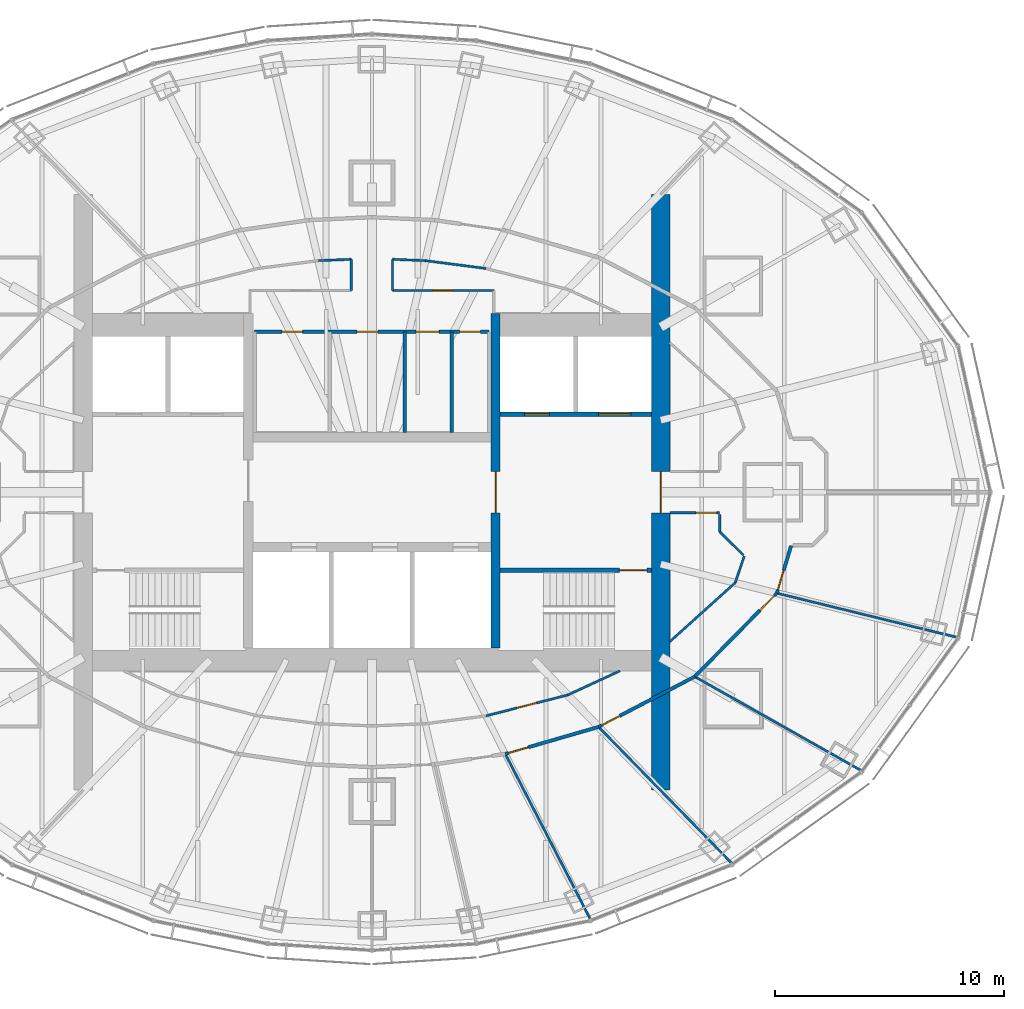
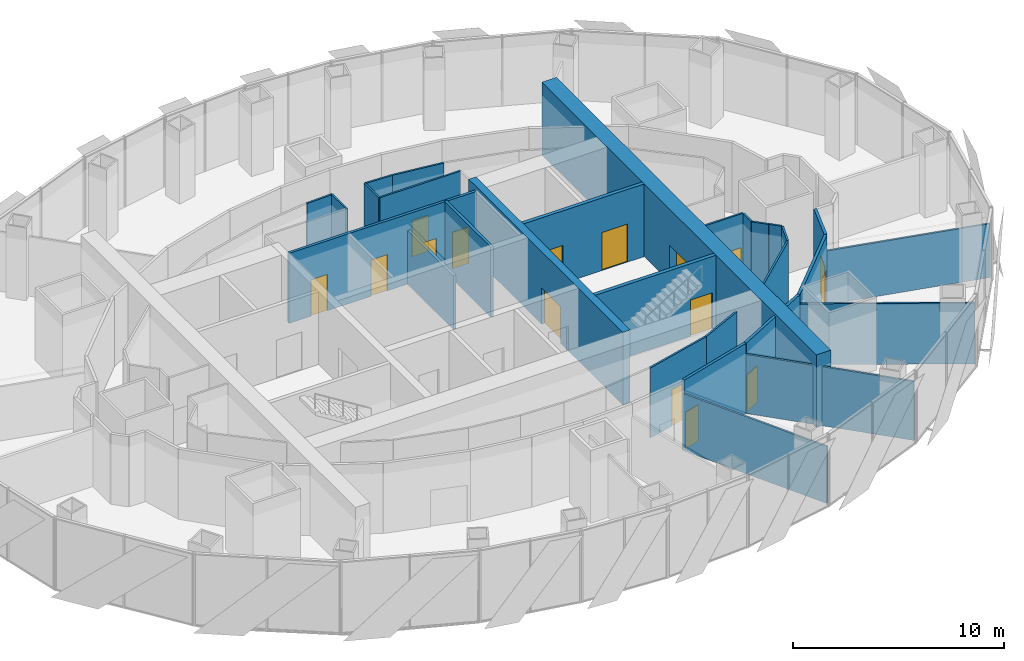
# One storey, part 13 of 17: 29 walls, 16 doors, 16 openings.
"""IFC4 building model written with IfcOpenShell, lengths in metres."""

from ifc_helpers import new_model, si_unit, direction, frame, frame_2d, origin, place, context, subcontext, project, spatial, rectangle, extrude, material, layer, layer_set, type_object, element, fill, save


model = new_model("IFC4")

# Units and contexts
model_context = context("Model", 3, precision=1e-05, world=origin(), true_north=direction((0.0, 1.0)))
body_context = subcontext(model_context, "Body", "Model", "MODEL_VIEW")
ifc_project = project(units=[si_unit("LENGTHUNIT", "METRE"), si_unit("AREAUNIT", "SQUARE_METRE"), si_unit("VOLUMEUNIT", "CUBIC_METRE"), si_unit("PLANEANGLEUNIT", "RADIAN"), si_unit("MASSUNIT", "GRAM", prefix="KILO")], contexts=[model_context])

# Site, building, storey
site_placement = place(None, origin())
site = spatial("IfcSite", under=ifc_project, at=site_placement, CompositionType="ELEMENT")
building_placement = place(site_placement, origin())
building = spatial("IfcBuilding", under=site, at=building_placement, Name="Lantaw Convention Tower", CompositionType="ELEMENT")
storey_placement = place(building_placement, frame((0.0, 0.0, 220.0)))
storey = spatial("IfcBuildingStorey", under=building, at=storey_placement, Name="L51", CompositionType="ELEMENT", Elevation=220.0)

# Wall, opening, door
ifc_material_1 = material(Name="Concrete C60/75", Category="concrete")
ifc_layer_1 = layer(ifc_material_1, 0.199951171875)
ifc_layer_set_1 = layer_set([ifc_layer_1], Name="Core wall 200")
wall_type_1 = type_object("IfcWallType", Name="Core wall 200", PredefinedType="SHEAR", material=ifc_layer_set_1)
wall_1_placement = place(storey_placement, frame((5.60009765625, -3.39990234375, 0.0), z_axis=(0.0, 0.0, 1.0), x_axis=(1.0, 0.0, 0.0)))
wall_1 = element("IfcWall", 1, at=wall_1_placement, inside=storey, type_object=wall_type_1, Name="Core wall ES", PredefinedType="SHEAR", context=body_context, shape_type="SweptSolid", body=[
    extrude(rectangle(XDim=6.599853515625, YDim=0.199951171875, at=frame_2d((3.2998046875, 0.0))), origin(), (0.0, 0.0, 1.0), 4.199951171875),
])
opening_1_placement = place(wall_1_placement, frame((5.199951171875, 0.0, 0.0)))
opening_1 = element("IfcOpeningElement", 2, at=opening_1_placement, cuts=wall_1, Name="Opening L51.03", PredefinedType="OPENING", context=body_context, shape_type="SweptSolid", body=[
    extrude(rectangle(XDim=1.199951171875, YDim=2.10009765625, at=frame_2d((0.60009765625, 1.050048828125))), frame((0.0, 0.10986328125, 0.0), z_axis=(0.0, -1.0, 0.0), x_axis=(1.0, 0.0, 0.0)), (0.0, 0.0, 1.0), 0.219970703125),
])
ifc_material_2 = material(Name="Steel, fire rated", Category="steel")
door_type_1 = type_object("IfcDoorType", Name="Stair door FD90", OperationType="SINGLE_SWING_RIGHT", PredefinedType="DOOR", material=ifc_material_2)
door_1_placement = place(opening_1_placement, origin())
door_1 = element("IfcDoor", 3, at=door_1_placement, inside=storey, type_object=door_type_1, Name="Exit stair door", OperationType="SINGLE_SWING_RIGHT", OverallHeight=2.10009765625, OverallWidth=1.199951171875, PredefinedType="DOOR", context=body_context, shape_type="SweptSolid", body=[
    extrude(rectangle(XDim=1.199951171875, YDim=2.10009765625, at=frame_2d((0.60009765625, 1.050048828125))), frame((0.0, 0.02490234375, 0.0), z_axis=(0.0, -1.0, 0.0), x_axis=(1.0, 0.0, 0.0)), (0.0, 0.0, 1.0), 0.050048828125),
])
fill(opening_1, door_1)

ifc_layer_2 = layer(ifc_material_1, 0.39990234375)
ifc_layer_set_2 = layer_set([ifc_layer_2], Name="Core wall 400")
wall_type_2 = type_object("IfcWallType", Name="Core wall 400", PredefinedType="SHEAR", material=ifc_layer_set_2)
wall_2_placement = place(storey_placement, frame((5.39990234375, -6.800048828125, 0.0), z_axis=(0.0, 0.0, 1.0), x_axis=(0.0, 1.0, 0.0)))
wall_2 = element("IfcWall", 4, at=wall_2_placement, inside=storey, type_object=wall_type_2, Name="Core wall XE", PredefinedType="SHEAR", context=body_context, shape_type="SweptSolid", body=[
    extrude(rectangle(XDim=14.60009765625, YDim=0.39990234375, at=frame_2d((7.300048828125, 0.0))), origin(), (0.0, 0.0, 1.0), 4.199951171875),
])
opening_2_placement = place(wall_2_placement, frame((5.89990234375, 0.0, 0.0)))
opening_2 = element("IfcOpeningElement", 5, at=opening_2_placement, cuts=wall_2, Name="Opening L51.01", PredefinedType="OPENING", context=body_context, shape_type="SweptSolid", body=[
    extrude(rectangle(XDim=1.800048828125, YDim=2.10009765625, at=frame_2d((0.89990234375, 1.050048828125))), frame((0.0, 0.2099609375, 0.0), z_axis=(0.0, -1.0, 0.0), x_axis=(1.0, 0.0, 0.0)), (0.0, 0.0, 1.0), 0.419921875),
])
door_type_2 = type_object("IfcDoorType", Name="Lobby double door FD90", OperationType="DOUBLE_DOOR_DOUBLE_SWING", PredefinedType="DOOR", material=ifc_material_2)
door_2_placement = place(opening_2_placement, origin())
door_2 = element("IfcDoor", 6, at=door_2_placement, inside=storey, type_object=door_type_2, Name="Lift lobby door", OperationType="DOUBLE_DOOR_DOUBLE_SWING", OverallHeight=2.10009765625, OverallWidth=1.800048828125, PredefinedType="DOOR", context=body_context, shape_type="SweptSolid", body=[
    extrude(rectangle(XDim=1.800048828125, YDim=2.10009765625, at=frame_2d((0.89990234375, 1.050048828125))), frame((0.0, 0.02490234375, 0.0), z_axis=(0.0, -1.0, 0.0), x_axis=(1.0, 0.0, 0.0)), (0.0, 0.0, 1.0), 0.050048828125),
])
fill(opening_2, door_2)

ifc_layer_3 = layer(ifc_material_1, 0.800048828125)
ifc_layer_set_3 = layer_set([ifc_layer_3], Name="Core wall 800")
wall_type_3 = type_object("IfcWallType", Name="Core wall 800", PredefinedType="SHEAR", material=ifc_layer_set_3)
wall_3_placement = place(storey_placement, frame((12.60009765625, -13.0, 0.0), z_axis=(0.0, 0.0, 1.0), x_axis=(0.0, 1.0, 0.0)))
wall_3 = element("IfcWall", 7, at=wall_3_placement, inside=storey, type_object=wall_type_3, Name="Core wall E", PredefinedType="SHEAR", context=body_context, shape_type="SweptSolid", body=[
    extrude(rectangle(XDim=26.0, YDim=0.800048828125, at=frame_2d((13.0, 0.0))), origin(), (0.0, 0.0, 1.0), 4.199951171875),
])
opening_3_placement = place(wall_3_placement, frame((12.10009765625, 0.0, 0.0)))
opening_3 = element("IfcOpeningElement", 8, at=opening_3_placement, cuts=wall_3, Name="Opening L51.05", PredefinedType="OPENING", context=body_context, shape_type="SweptSolid", body=[
    extrude(rectangle(XDim=1.800048828125, YDim=2.10009765625, at=frame_2d((0.89990234375, 1.050048828125))), frame((0.0, 0.409912109375, 0.0), z_axis=(0.0, -1.0, 0.0), x_axis=(1.0, 0.0, 0.0)), (0.0, 0.0, 1.0), 0.820068359375),
])
door_3_placement = place(opening_3_placement, origin())
door_3 = element("IfcDoor", 9, at=door_3_placement, inside=storey, type_object=door_type_2, Name="Firefighting lobby door", OperationType="DOUBLE_DOOR_DOUBLE_SWING", OverallHeight=2.10009765625, OverallWidth=1.800048828125, PredefinedType="DOOR", context=body_context, shape_type="SweptSolid", body=[
    extrude(rectangle(XDim=1.800048828125, YDim=2.10009765625, at=frame_2d((0.89990234375, 1.050048828125))), frame((0.0, 0.02490234375, 0.0), z_axis=(0.0, -1.0, 0.0), x_axis=(1.0, 0.0, 0.0)), (0.0, 0.0, 1.0), 0.050048828125),
])
fill(opening_3, door_3)

ifc_material_3 = material(Name="Gypsum board on steel studs, fire rated", Category="steel")
ifc_layer_4 = layer(ifc_material_3, 0.14990234375)
ifc_layer_set_4 = layer_set([ifc_layer_4], Name="Corridor wall 150 EI 60")
wall_type_4 = type_object("IfcWallType", Name="Corridor wall 150 EI 60", PredefinedType="PARTITIONING", material=ifc_layer_set_4)
wall_4_placement = place(storey_placement, frame((5.8203125, -11.423095703125, 0.0), z_axis=(0.0, 0.0, 1.0), x_axis=(0.960614838378, 0.27788330696, 0.0)))
wall_4 = element("IfcWall", 10, at=wall_4_placement, inside=storey, type_object=wall_type_4, Name="Corridor wall 150", PredefinedType="PARTITIONING", context=body_context, shape_type="SweptSolid", body=[
    extrude(rectangle(XDim=4.239990234375, YDim=0.14990234375, at=frame_2d((2.1201171875, 0.0))), origin(), (0.0, 0.0, 1.0), 4.050048828125),
])
opening_4_placement = place(wall_4_placement, frame((0.14990234375, 0.0, 0.0)))
opening_4 = element("IfcOpeningElement", 11, at=opening_4_placement, cuts=wall_4, Name="Opening L51.31", PredefinedType="OPENING", context=body_context, shape_type="SweptSolid", body=[
    extrude(rectangle(XDim=0.89990234375, YDim=2.10009765625, at=frame_2d((0.449951171875, 1.050048828125))), frame((0.0, 0.0849609375, 0.0), z_axis=(0.0, -1.0, 0.0), x_axis=(1.0, 0.0, 0.0)), (0.0, 0.0, 1.0), 0.169921875),
])
door_type_3 = type_object("IfcDoorType", Name="Office door 900 FD30", OperationType="SINGLE_SWING_LEFT", PredefinedType="DOOR", material=ifc_material_2)
door_4_placement = place(opening_4_placement, origin())
door_4 = element("IfcDoor", 12, at=door_4_placement, inside=storey, type_object=door_type_3, Name="Quiet room door", OperationType="SINGLE_SWING_LEFT", OverallHeight=2.10009765625, OverallWidth=0.89990234375, PredefinedType="DOOR", context=body_context, shape_type="SweptSolid", body=[
    extrude(rectangle(XDim=0.89990234375, YDim=2.10009765625, at=frame_2d((0.449951171875, 1.050048828125))), frame((0.0, 0.02490234375, 0.0), z_axis=(0.0, -1.0, 0.0), x_axis=(1.0, 0.0, 0.0)), (0.0, 0.0, 1.0), 0.050048828125),
])
fill(opening_4, door_4)

wall_5_placement = place(storey_placement, frame((9.893310546875, -10.244873046875, 0.0), z_axis=(0.0, 0.0, 1.0), x_axis=(0.886174439647, 0.463351769735, 0.0)))
wall_5 = element("IfcWall", 13, at=wall_5_placement, inside=storey, type_object=wall_type_4, Name="Corridor wall 150", PredefinedType="PARTITIONING", context=body_context, shape_type="SweptSolid", body=[
    extrude(rectangle(XDim=4.734619140625, YDim=0.14990234375, at=frame_2d((2.3671875, 0.0))), origin(), (0.0, 0.0, 1.0), 4.050048828125),
])
opening_5_placement = place(wall_5_placement, frame((0.14990234375, 0.0, 0.0)))
opening_5 = element("IfcOpeningElement", 14, at=opening_5_placement, cuts=wall_5, Name="Opening L51.32", PredefinedType="OPENING", context=body_context, shape_type="SweptSolid", body=[
    extrude(rectangle(XDim=0.89990234375, YDim=2.10009765625, at=frame_2d((0.449951171875, 1.050048828125))), frame((0.0, 0.0849609375, 0.0), z_axis=(0.0, -1.0, 0.0), x_axis=(1.0, 0.0, 0.0)), (0.0, 0.0, 1.0), 0.169921875),
])
door_5_placement = place(opening_5_placement, origin())
door_5 = element("IfcDoor", 15, at=door_5_placement, inside=storey, type_object=door_type_3, Name="Nap room door", OperationType="SINGLE_SWING_LEFT", OverallHeight=2.10009765625, OverallWidth=0.89990234375, PredefinedType="DOOR", context=body_context, shape_type="SweptSolid", body=[
    extrude(rectangle(XDim=0.89990234375, YDim=2.10009765625, at=frame_2d((0.449951171875, 1.050048828125))), frame((0.0, 0.02490234375, 0.0), z_axis=(0.0, -1.0, 0.0), x_axis=(1.0, 0.0, 0.0)), (0.0, 0.0, 1.0), 0.050048828125),
])
fill(opening_5, door_5)

wall_6_placement = place(storey_placement, frame((14.089111328125, -8.051025390625, 0.0), z_axis=(0.0, 0.0, 1.0), x_axis=(0.701111216625, 0.713051934941, 0.0)))
wall_6 = element("IfcWall", 16, at=wall_6_placement, inside=storey, type_object=wall_type_4, Name="Corridor wall 150", PredefinedType="PARTITIONING", context=body_context, shape_type="SweptSolid", body=[
    extrude(rectangle(XDim=5.111572265625, YDim=0.14990234375, at=frame_2d((2.5556640625, 0.0))), origin(), (0.0, 0.0, 1.0), 4.050048828125),
])
opening_6_placement = place(wall_6_placement, frame((4.061279296875, 0.0, 0.0)))
opening_6 = element("IfcOpeningElement", 17, at=opening_6_placement, cuts=wall_6, Name="Opening L51.33", PredefinedType="OPENING", context=body_context, shape_type="SweptSolid", body=[
    extrude(rectangle(XDim=0.89990234375, YDim=2.10009765625, at=frame_2d((0.449951171875, 1.050048828125))), frame((0.0, 0.0849609375, 0.0), z_axis=(0.0, -1.0, 0.0), x_axis=(1.0, 0.0, 0.0)), (0.0, 0.0, 1.0), 0.169921875),
])
door_6_placement = place(opening_6_placement, origin())
door_6 = element("IfcDoor", 18, at=door_6_placement, inside=storey, type_object=door_type_3, Name="Wellness room door", OperationType="SINGLE_SWING_LEFT", OverallHeight=2.10009765625, OverallWidth=0.89990234375, PredefinedType="DOOR", context=body_context, shape_type="SweptSolid", body=[
    extrude(rectangle(XDim=0.89990234375, YDim=2.10009765625, at=frame_2d((0.449951171875, 1.050048828125))), frame((0.0, 0.02490234375, 0.0), z_axis=(0.0, -1.0, 0.0), x_axis=(1.0, 0.0, 0.0)), (0.0, 0.0, 1.0), 0.050048828125),
])
fill(opening_6, door_6)

wall_7_placement = place(storey_placement, frame((17.6728515625, -4.40625, 0.0), z_axis=(0.0, 0.0, 1.0), x_axis=(0.288362447016, 0.957521330912, 0.0)))
wall_7 = element("IfcWall", 19, at=wall_7_placement, inside=storey, type_object=wall_type_4, Name="Corridor wall 150", PredefinedType="PARTITIONING", context=body_context, shape_type="SweptSolid", body=[
    extrude(rectangle(XDim=2.1630859375, YDim=0.14990234375, at=frame_2d((1.08154296875, 0.0))), origin(), (0.0, 0.0, 1.0), 4.050048828125),
])
opening_7_placement = place(wall_7_placement, frame((0.14990234375, 0.0, 0.0)))
opening_7 = element("IfcOpeningElement", 20, at=opening_7_placement, cuts=wall_7, Name="Opening L51.34", PredefinedType="OPENING", context=body_context, shape_type="SweptSolid", body=[
    extrude(rectangle(XDim=0.89990234375, YDim=2.10009765625, at=frame_2d((0.449951171875, 1.050048828125))), frame((0.0, 0.0849609375, 0.0), z_axis=(0.0, -1.0, 0.0), x_axis=(1.0, 0.0, 0.0)), (0.0, 0.0, 1.0), 0.169921875),
])
door_7_placement = place(opening_7_placement, origin())
door_7 = element("IfcDoor", 21, at=door_7_placement, inside=storey, type_object=door_type_3, Name="Pantry door", OperationType="SINGLE_SWING_LEFT", OverallHeight=2.10009765625, OverallWidth=0.89990234375, PredefinedType="DOOR", context=body_context, shape_type="SweptSolid", body=[
    extrude(rectangle(XDim=0.89990234375, YDim=2.10009765625, at=frame_2d((0.449951171875, 1.050048828125))), frame((0.0, 0.02490234375, 0.0), z_axis=(0.0, -1.0, 0.0), x_axis=(1.0, 0.0, 0.0)), (0.0, 0.0, 1.0), 0.050048828125),
])
fill(opening_7, door_7)

# Walls
ifc_material_4 = material(Name="Gypsum board on steel studs, acoustic", Category="steel")
ifc_layer_5 = layer(ifc_material_4, 0.10009765625)
ifc_layer_set_5 = layer_set([ifc_layer_5], Name="Office partition 100")
wall_type_5 = type_object("IfcWallType", Name="Office partition 100", PredefinedType="PARTITIONING", material=ifc_layer_set_5)
wall_8_placement = place(storey_placement, frame((9.539306640625, -18.650390625, 0.0), z_axis=(0.0, 0.0, 1.0), x_axis=(-0.457552286462, 0.88918271753, 0.0)))
element("IfcWall", 22, at=wall_8_placement, inside=storey, type_object=wall_type_5, Name="Office partition 100", PredefinedType="PARTITIONING", context=body_context, shape_type="SweptSolid", body=[
    extrude(rectangle(XDim=8.1279296875, YDim=0.10009765625, at=frame_2d((4.06396484375, 0.0))), origin(), (0.0, 0.0, 1.0), 3.29296875),
])
wall_9_placement = place(storey_placement, frame((15.709228515625, -16.198974609375, 0.0), z_axis=(0.0, 0.0, 1.0), x_axis=(-0.69875697861, 0.715359129978, 0.0)))
element("IfcWall", 23, at=wall_9_placement, inside=storey, type_object=wall_type_5, Name="Office partition 100", PredefinedType="PARTITIONING", context=body_context, shape_type="SweptSolid", body=[
    extrude(rectangle(XDim=8.3232421875, YDim=0.10009765625, at=frame_2d((4.16162109375, 0.0))), origin(), (0.0, 0.0, 1.0), 3.409912109375),
])
wall_10_placement = place(storey_placement, frame((21.3583984375, -12.149658203125, 0.0), z_axis=(0.0, 0.0, 1.0), x_axis=(-0.871080529249, 0.491140215786, 0.0)))
element("IfcWall", 24, at=wall_10_placement, inside=storey, type_object=wall_type_5, Name="Office partition 100", PredefinedType="PARTITIONING", context=body_context, shape_type="SweptSolid", body=[
    extrude(rectangle(XDim=8.34521484375, YDim=0.10009765625, at=frame_2d((4.172607421875, 0.0))), origin(), (0.0, 0.0, 1.0), 3.521728515625),
])
wall_11_placement = place(storey_placement, frame((25.542724609375, -6.335693359375, 0.0), z_axis=(0.0, 0.0, 1.0), x_axis=(-0.97123661777, 0.238116425942, 0.0)))
element("IfcWall", 25, at=wall_11_placement, inside=storey, type_object=wall_type_5, Name="Office partition 100", PredefinedType="PARTITIONING", context=body_context, shape_type="SweptSolid", body=[
    extrude(rectangle(XDim=8.10302734375, YDim=0.10009765625, at=frame_2d((4.051513671875, 0.0))), origin(), (0.0, 0.0, 1.0), 3.107666015625),
])
wall_12_placement = place(storey_placement, frame((10.822509765625, -7.800048828125, 0.0), z_axis=(0.0, 0.0, 1.0), x_axis=(-0.907759689292, -0.419490579748, 0.0)))
element("IfcWall", 26, at=wall_12_placement, inside=storey, type_object=wall_type_5, Name="Office partition 100", PredefinedType="PARTITIONING", context=body_context, shape_type="SweptSolid", body=[
    extrude(rectangle(XDim=2.506103515625, YDim=0.10009765625, at=frame_2d((1.2529296875, 0.0))), origin(), (0.0, 0.0, 1.0), 4.050048828125),
])

# Wall, opening, door
wall_13_placement = place(storey_placement, frame((8.547607421875, -8.851318359375, 0.0), z_axis=(0.0, 0.0, 1.0), x_axis=(-0.968887312542, -0.247502273921, 0.0)))
wall_13 = element("IfcWall", 27, at=wall_13_placement, inside=storey, type_object=wall_type_5, Name="Office partition 100", PredefinedType="PARTITIONING", context=body_context, shape_type="SweptSolid", body=[
    extrude(rectangle(XDim=3.687255859375, YDim=0.10009765625, at=frame_2d((1.84375, 0.0))), origin(), (0.0, 0.0, 1.0), 4.050048828125),
])
opening_8_placement = place(wall_13_placement, frame((1.393798828125, 0.0, 0.0)))
opening_8 = element("IfcOpeningElement", 28, at=opening_8_placement, cuts=wall_13, Name="Opening L51.19", PredefinedType="OPENING", context=body_context, shape_type="SweptSolid", body=[
    extrude(rectangle(XDim=0.89990234375, YDim=2.10009765625, at=frame_2d((0.449951171875, 1.050048828125))), frame((0.0, 0.06005859375, 0.0), z_axis=(0.0, -1.0, 0.0), x_axis=(1.0, 0.0, 0.0)), (0.0, 0.0, 1.0), 0.1201171875),
])
ifc_material_5 = material(Name="Timber", Category="wood")
door_type_4 = type_object("IfcDoorType", Name="Office door 900", OperationType="SINGLE_SWING_LEFT", PredefinedType="DOOR", material=ifc_material_5)
door_8_placement = place(opening_8_placement, origin())
door_8 = element("IfcDoor", 29, at=door_8_placement, inside=storey, type_object=door_type_4, Name="Project room door", OperationType="SINGLE_SWING_LEFT", OverallHeight=2.10009765625, OverallWidth=0.89990234375, PredefinedType="DOOR", context=body_context, shape_type="SweptSolid", body=[
    extrude(rectangle(XDim=0.89990234375, YDim=2.10009765625, at=frame_2d((0.449951171875, 1.050048828125))), frame((0.0, 0.02490234375, 0.0), z_axis=(0.0, -1.0, 0.0), x_axis=(1.0, 0.0, 0.0)), (0.0, 0.0, 1.0), 0.050048828125),
])
fill(opening_8, door_8)

# Wall
wall_14_placement = place(storey_placement, frame((15.855712890625, -3.953369140625, 0.0), z_axis=(0.0, 0.0, 1.0), x_axis=(-0.743177243228, -0.669094601046, 0.0)))
element("IfcWall", 30, at=wall_14_placement, inside=storey, type_object=wall_type_5, Name="Office partition 100", PredefinedType="PARTITIONING", context=body_context, shape_type="SweptSolid", body=[
    extrude(rectangle(XDim=3.842529296875, YDim=0.10009765625, at=frame_2d((1.92138671875, 0.0))), origin(), (0.0, 0.0, 1.0), 4.050048828125),
])

# Wall, opening, door
wall_15_placement = place(storey_placement, frame((5.320068359375, 8.800048828125, 0.0), z_axis=(0.0, 0.0, 1.0), x_axis=(-1.0, 0.0, 0.0)))
wall_15 = element("IfcWall", 31, at=wall_15_placement, inside=storey, type_object=wall_type_5, Name="Office partition 100", PredefinedType="PARTITIONING", context=body_context, shape_type="SweptSolid", body=[
    extrude(rectangle(XDim=4.420166015625, YDim=0.10009765625, at=frame_2d((2.2099609375, 0.0))), origin(), (0.0, 0.0, 1.0), 4.050048828125),
])
opening_9_placement = place(wall_15_placement, frame((1.760009765625, 0.0, 0.0)))
opening_9 = element("IfcOpeningElement", 32, at=opening_9_placement, cuts=wall_15, Name="Opening L51.22", PredefinedType="OPENING", context=body_context, shape_type="SweptSolid", body=[
    extrude(rectangle(XDim=0.89990234375, YDim=2.10009765625, at=frame_2d((0.449951171875, 1.050048828125))), frame((0.0, 0.06005859375, 0.0), z_axis=(0.0, -1.0, 0.0), x_axis=(1.0, 0.0, 0.0)), (0.0, 0.0, 1.0), 0.1201171875),
])
door_9_placement = place(opening_9_placement, origin())
door_9 = element("IfcDoor", 33, at=door_9_placement, inside=storey, type_object=door_type_4, Name="Copy and print room door", OperationType="SINGLE_SWING_LEFT", OverallHeight=2.10009765625, OverallWidth=0.89990234375, PredefinedType="DOOR", context=body_context, shape_type="SweptSolid", body=[
    extrude(rectangle(XDim=0.89990234375, YDim=2.10009765625, at=frame_2d((0.449951171875, 1.050048828125))), frame((0.0, 0.02490234375, 0.0), z_axis=(0.0, -1.0, 0.0), x_axis=(1.0, 0.0, 0.0)), (0.0, 0.0, 1.0), 0.050048828125),
])
fill(opening_9, door_9)

# Walls
wall_16_placement = place(storey_placement, frame((0.89990234375, 8.800048828125, 0.0), z_axis=(0.0, 0.0, 1.0), x_axis=(0.0, 1.0, 0.0)))
element("IfcWall", 34, at=wall_16_placement, inside=storey, type_object=wall_type_5, Name="Office partition 100", PredefinedType="PARTITIONING", context=body_context, shape_type="SweptSolid", body=[
    extrude(rectangle(XDim=1.363525390625, YDim=0.10009765625, at=frame_2d((0.681640625, 0.0))), origin(), (0.0, 0.0, 1.0), 4.050048828125),
])
wall_17_placement = place(storey_placement, frame((0.89990234375, 10.16357421875, 0.0), z_axis=(0.0, 0.0, 1.0), x_axis=(0.999185933422, -0.040341919288, 0.0)))
element("IfcWall", 35, at=wall_17_placement, inside=storey, type_object=wall_type_5, Name="Office partition 100", PredefinedType="PARTITIONING", context=body_context, shape_type="SweptSolid", body=[
    extrude(rectangle(XDim=1.434326171875, YDim=0.10009765625, at=frame_2d((0.71728515625, 0.0))), origin(), (0.0, 0.0, 1.0), 4.050048828125),
])
wall_18_placement = place(storey_placement, frame((2.3330078125, 10.105712890625, 0.0), z_axis=(0.0, 0.0, 1.0), x_axis=(0.99173579163, -0.128296997624, 0.0)))
element("IfcWall", 36, at=wall_18_placement, inside=storey, type_object=wall_type_5, Name="Office partition 100", PredefinedType="PARTITIONING", context=body_context, shape_type="SweptSolid", body=[
    extrude(rectangle(XDim=2.6640625, YDim=0.10009765625, at=frame_2d((1.33203125, 0.0))), origin(), (0.0, 0.0, 1.0), 4.050048828125),
])
wall_19_placement = place(storey_placement, frame((-2.3330078125, 10.105712890625, 0.0), z_axis=(0.0, 0.0, 1.0), x_axis=(0.999185933422, 0.040341919288, 0.0)))
element("IfcWall", 37, at=wall_19_placement, inside=storey, type_object=wall_type_5, Name="Office partition 100", PredefinedType="PARTITIONING", context=body_context, shape_type="SweptSolid", body=[
    extrude(rectangle(XDim=1.434326171875, YDim=0.10009765625, at=frame_2d((0.71728515625, 0.0))), origin(), (0.0, 0.0, 1.0), 4.050048828125),
])
wall_20_placement = place(storey_placement, frame((-0.89990234375, 10.16357421875, 0.0), z_axis=(0.0, 0.0, 1.0), x_axis=(0.0, -1.0, 0.0)))
element("IfcWall", 38, at=wall_20_placement, inside=storey, type_object=wall_type_5, Name="Office partition 100", PredefinedType="PARTITIONING", context=body_context, shape_type="SweptSolid", body=[
    extrude(rectangle(XDim=1.363525390625, YDim=0.10009765625, at=frame_2d((0.681640625, 0.0))), origin(), (0.0, 0.0, 1.0), 4.050048828125),
])

# Wall, opening, door
wall_21_placement = place(storey_placement, frame((13.0, -0.89990234375, 0.0), z_axis=(0.0, 0.0, 1.0), x_axis=(1.0, 0.0, 0.0)))
wall_21 = element("IfcWall", 39, at=wall_21_placement, inside=storey, type_object=wall_type_5, Name="Office partition 100", PredefinedType="PARTITIONING", context=body_context, shape_type="SweptSolid", body=[
    extrude(rectangle(XDim=2.1650390625, YDim=0.10009765625, at=frame_2d((1.08251953125, 0.0))), origin(), (0.0, 0.0, 1.0), 4.050048828125),
])
opening_10_placement = place(wall_21_placement, frame((1.14990234375, 0.0, 0.0)))
opening_10 = element("IfcOpeningElement", 40, at=opening_10_placement, cuts=wall_21, Name="Opening L51.20", PredefinedType="OPENING", context=body_context, shape_type="SweptSolid", body=[
    extrude(rectangle(XDim=0.89990234375, YDim=2.10009765625, at=frame_2d((0.449951171875, 1.050048828125))), frame((0.0, 0.06005859375, 0.0), z_axis=(0.0, -1.0, 0.0), x_axis=(1.0, 0.0, 0.0)), (0.0, 0.0, 1.0), 0.1201171875),
])
door_10_placement = place(opening_10_placement, origin())
door_10 = element("IfcDoor", 41, at=door_10_placement, inside=storey, type_object=door_type_4, Name="Tenant storage room door", OperationType="SINGLE_SWING_LEFT", OverallHeight=2.10009765625, OverallWidth=0.89990234375, PredefinedType="DOOR", context=body_context, shape_type="SweptSolid", body=[
    extrude(rectangle(XDim=0.89990234375, YDim=2.10009765625, at=frame_2d((0.449951171875, 1.050048828125))), frame((0.0, 0.02490234375, 0.0), z_axis=(0.0, -1.0, 0.0), x_axis=(1.0, 0.0, 0.0)), (0.0, 0.0, 1.0), 0.050048828125),
])
fill(opening_10, door_10)

# Walls
wall_22_placement = place(storey_placement, frame((16.249267578125, -2.7958984375, 0.0), z_axis=(0.0, 0.0, 1.0), x_axis=(-0.321913473529, -0.946769093053, 0.0)))
element("IfcWall", 42, at=wall_22_placement, inside=storey, type_object=wall_type_5, Name="Office partition 100", PredefinedType="PARTITIONING", context=body_context, shape_type="SweptSolid", body=[
    extrude(rectangle(XDim=1.22265625, YDim=0.10009765625, at=frame_2d((0.611328125, 0.0))), origin(), (0.0, 0.0, 1.0), 4.050048828125),
])
wall_23_placement = place(storey_placement, frame((15.775390625, -2.324951171875, 0.0), z_axis=(0.0, 0.0, 1.0), x_axis=(-0.707106781187, 0.707106781187, 0.0)))
element("IfcWall", 43, at=wall_23_placement, inside=storey, type_object=wall_type_5, Name="Office partition 100", PredefinedType="PARTITIONING", context=body_context, shape_type="SweptSolid", body=[
    extrude(rectangle(XDim=0.84912109375, YDim=0.10009765625, at=frame_2d((0.424560546875, 0.0))), origin(), (0.0, 0.0, 1.0), 4.050048828125),
])
wall_24_placement = place(storey_placement, frame((15.175048828125, -1.724609375, 0.0), z_axis=(0.0, 0.0, 1.0), x_axis=(0.0, 1.0, 0.0)))
element("IfcWall", 44, at=wall_24_placement, inside=storey, type_object=wall_type_5, Name="Office partition 100", PredefinedType="PARTITIONING", context=body_context, shape_type="SweptSolid", body=[
    extrude(rectangle(XDim=0.746337890625, YDim=0.10009765625, at=frame_2d((0.373046875, 0.0))), origin(), (0.0, 0.0, 1.0), 4.050048828125),
])
wall_25_placement = place(storey_placement, frame((16.22265625, -2.755126953125, 0.0), z_axis=(0.0, 0.0, 1.0), x_axis=(-0.707106781187, 0.707106781187, 0.0)))
element("IfcWall", 45, at=wall_25_placement, inside=storey, type_object=wall_type_5, Name="Office partition 100", PredefinedType="PARTITIONING", context=body_context, shape_type="SweptSolid", body=[
    extrude(rectangle(XDim=0.6083984375, YDim=0.10009765625, at=frame_2d((0.30419921875, 0.0))), origin(), (0.0, 0.0, 1.0), 4.050048828125),
])

# Wall, openings, doors
ifc_material_6 = material(Name="Concrete blockwork, fire rated", Category="masonry")
ifc_layer_6 = layer(ifc_material_6, 0.199951171875)
ifc_layer_set_6 = layer_set([ifc_layer_6], Name="Shaft wall 200")
wall_type_6 = type_object("IfcWallType", Name="Shaft wall 200", PredefinedType="SOLIDWALL", material=ifc_layer_set_6)
wall_26_placement = place(storey_placement, frame((12.199951171875, 3.39990234375, 0.0), z_axis=(0.0, 0.0, 1.0), x_axis=(-1.0, 0.0, 0.0)))
wall_26 = element("IfcWall", 46, at=wall_26_placement, inside=storey, type_object=wall_type_6, Name="Shaft wall EN", PredefinedType="SOLIDWALL", context=body_context, shape_type="SweptSolid", body=[
    extrude(rectangle(XDim=6.599853515625, YDim=0.199951171875, at=frame_2d((3.2998046875, 0.0))), origin(), (0.0, 0.0, 1.0), 4.199951171875),
])
opening_11_placement = place(wall_26_placement, frame((4.449951171875, 0.0, 0.0)))
opening_11 = element("IfcOpeningElement", 47, at=opening_11_placement, cuts=wall_26, Name="Opening L51.12", PredefinedType="OPENING", context=body_context, shape_type="SweptSolid", body=[
    extrude(rectangle(XDim=1.10009765625, YDim=2.199951171875, at=frame_2d((0.550048828125, 1.10009765625))), frame((0.0, 0.10986328125, 0.0), z_axis=(0.0, -1.0, 0.0), x_axis=(1.0, 0.0, 0.0)), (0.0, 0.0, 1.0), 0.219970703125),
])
opening_12_placement = place(wall_26_placement, frame((0.89990234375, 0.0, 0.0)))
opening_12 = element("IfcOpeningElement", 48, at=opening_12_placement, cuts=wall_26, Name="Opening L51.13", PredefinedType="OPENING", context=body_context, shape_type="SweptSolid", body=[
    extrude(rectangle(XDim=1.39990234375, YDim=2.199951171875, at=frame_2d((0.699951171875, 1.10009765625))), frame((0.0, 0.10986328125, 0.0), z_axis=(0.0, -1.0, 0.0), x_axis=(1.0, 0.0, 0.0)), (0.0, 0.0, 1.0), 0.219970703125),
])
ifc_material_7 = material(Name="Stainless steel", Category="steel")
door_type_5 = type_object("IfcDoorType", Name="Lift landing door 1100", OperationType="DOUBLE_DOOR_SLIDING", PredefinedType="DOOR", material=ifc_material_7)
door_11_placement = place(opening_11_placement, origin())
door_11 = element("IfcDoor", 49, at=door_11_placement, inside=storey, type_object=door_type_5, Name="Lift landing door FF2", OperationType="DOUBLE_DOOR_SLIDING", OverallHeight=2.199951171875, OverallWidth=1.10009765625, PredefinedType="DOOR", context=body_context, shape_type="SweptSolid", body=[
    extrude(rectangle(XDim=1.10009765625, YDim=2.199951171875, at=frame_2d((0.550048828125, 1.10009765625))), frame((0.0, 0.02490234375, 0.0), z_axis=(0.0, -1.0, 0.0), x_axis=(1.0, 0.0, 0.0)), (0.0, 0.0, 1.0), 0.050048828125),
])
fill(opening_11, door_11)
door_type_6 = type_object("IfcDoorType", Name="Lift landing door 1400", OperationType="DOUBLE_DOOR_SLIDING", PredefinedType="DOOR", material=ifc_material_7)
door_12_placement = place(opening_12_placement, origin())
door_12 = element("IfcDoor", 50, at=door_12_placement, inside=storey, type_object=door_type_6, Name="Lift landing door SV2", OperationType="DOUBLE_DOOR_SLIDING", OverallHeight=2.199951171875, OverallWidth=1.39990234375, PredefinedType="DOOR", context=body_context, shape_type="SweptSolid", body=[
    extrude(rectangle(XDim=1.39990234375, YDim=2.199951171875, at=frame_2d((0.699951171875, 1.10009765625))), frame((0.0, 0.02490234375, 0.0), z_axis=(0.0, -1.0, 0.0), x_axis=(1.0, 0.0, 0.0)), (0.0, 0.0, 1.0), 0.050048828125),
])
fill(opening_12, door_12)

ifc_material_8 = material(Name="Concrete blockwork", Category="masonry")
ifc_layer_7 = layer(ifc_material_8, 0.14990234375)
ifc_layer_set_7 = layer_set([ifc_layer_7], Name="WC wall 150")
wall_type_7 = type_object("IfcWallType", Name="WC wall 150", PredefinedType="SOLIDWALL", material=ifc_layer_set_7)
wall_27_placement = place(storey_placement, frame((-5.1201171875, 7.0, 0.0), z_axis=(0.0, 0.0, 1.0), x_axis=(1.0, 0.0, 0.0)))
wall_27 = element("IfcWall", 51, at=wall_27_placement, inside=storey, type_object=wall_type_7, Name="WC wall 150", PredefinedType="SOLIDWALL", context=body_context, shape_type="SweptSolid", body=[
    extrude(rectangle(XDim=10.240234375, YDim=0.14990234375, at=frame_2d((5.1201171875, 0.0))), origin(), (0.0, 0.0, 1.0), 4.050048828125),
])
opening_13_placement = place(wall_27_placement, frame((1.199951171875, 0.0, 0.0)))
opening_13 = element("IfcOpeningElement", 52, at=opening_13_placement, cuts=wall_27, Name="Opening L51.14", PredefinedType="OPENING", context=body_context, shape_type="SweptSolid", body=[
    extrude(rectangle(XDim=0.89990234375, YDim=2.10009765625, at=frame_2d((0.449951171875, 1.050048828125))), frame((0.0, 0.0849609375, 0.0), z_axis=(0.0, -1.0, 0.0), x_axis=(1.0, 0.0, 0.0)), (0.0, 0.0, 1.0), 0.169921875),
])
opening_14_placement = place(wall_27_placement, frame((4.476806640625, 0.0, 0.0)))
opening_14 = element("IfcOpeningElement", 53, at=opening_14_placement, cuts=wall_27, Name="Opening L51.15", PredefinedType="OPENING", context=body_context, shape_type="SweptSolid", body=[
    extrude(rectangle(XDim=0.89990234375, YDim=2.10009765625, at=frame_2d((0.449951171875, 1.050048828125))), frame((0.0, 0.0849609375, 0.0), z_axis=(0.0, -1.0, 0.0), x_axis=(1.0, 0.0, 0.0)), (0.0, 0.0, 1.0), 0.169921875),
])
opening_15_placement = place(wall_27_placement, frame((7.0537109375, 0.0, 0.0)))
opening_15 = element("IfcOpeningElement", 54, at=opening_15_placement, cuts=wall_27, Name="Opening L51.16", PredefinedType="OPENING", context=body_context, shape_type="SweptSolid", body=[
    extrude(rectangle(XDim=1.0, YDim=2.10009765625, at=frame_2d((0.5, 1.050048828125))), frame((0.0, 0.0849609375, 0.0), z_axis=(0.0, -1.0, 0.0), x_axis=(1.0, 0.0, 0.0)), (0.0, 0.0, 1.0), 0.169921875),
])
opening_16_placement = place(wall_27_placement, frame((8.95166015625, 0.0, 0.0)))
opening_16 = element("IfcOpeningElement", 55, at=opening_16_placement, cuts=wall_27, Name="Opening L51.17", PredefinedType="OPENING", context=body_context, shape_type="SweptSolid", body=[
    extrude(rectangle(XDim=0.89990234375, YDim=2.10009765625, at=frame_2d((0.449951171875, 1.050048828125))), frame((0.0, 0.0849609375, 0.0), z_axis=(0.0, -1.0, 0.0), x_axis=(1.0, 0.0, 0.0)), (0.0, 0.0, 1.0), 0.169921875),
])
door_type_7 = type_object("IfcDoorType", Name="Accessible WC door 1000", OperationType="SINGLE_SWING_LEFT", PredefinedType="DOOR", material=ifc_material_5)
door_13_placement = place(opening_15_placement, origin())
door_13 = element("IfcDoor", 56, at=door_13_placement, inside=storey, type_object=door_type_7, Name="Accessible WC door", OperationType="SINGLE_SWING_LEFT", OverallHeight=2.10009765625, OverallWidth=1.0, PredefinedType="DOOR", context=body_context, shape_type="SweptSolid", body=[
    extrude(rectangle(XDim=1.0, YDim=2.10009765625, at=frame_2d((0.5, 1.050048828125))), frame((0.0, 0.02490234375, 0.0), z_axis=(0.0, -1.0, 0.0), x_axis=(1.0, 0.0, 0.0)), (0.0, 0.0, 1.0), 0.050048828125),
])
fill(opening_15, door_13)
door_type_8 = type_object("IfcDoorType", Name="WC door 900", OperationType="SINGLE_SWING_LEFT", PredefinedType="DOOR", material=ifc_material_5)
door_14_placement = place(opening_13_placement, origin())
door_14 = element("IfcDoor", 57, at=door_14_placement, inside=storey, type_object=door_type_8, Name="Male WC door", OperationType="SINGLE_SWING_LEFT", OverallHeight=2.10009765625, OverallWidth=0.89990234375, PredefinedType="DOOR", context=body_context, shape_type="SweptSolid", body=[
    extrude(rectangle(XDim=0.89990234375, YDim=2.10009765625, at=frame_2d((0.449951171875, 1.050048828125))), frame((0.0, 0.02490234375, 0.0), z_axis=(0.0, -1.0, 0.0), x_axis=(1.0, 0.0, 0.0)), (0.0, 0.0, 1.0), 0.050048828125),
])
fill(opening_13, door_14)
door_15_placement = place(opening_14_placement, origin())
door_15 = element("IfcDoor", 58, at=door_15_placement, inside=storey, type_object=door_type_8, Name="Female WC door", OperationType="SINGLE_SWING_LEFT", OverallHeight=2.10009765625, OverallWidth=0.89990234375, PredefinedType="DOOR", context=body_context, shape_type="SweptSolid", body=[
    extrude(rectangle(XDim=0.89990234375, YDim=2.10009765625, at=frame_2d((0.449951171875, 1.050048828125))), frame((0.0, 0.02490234375, 0.0), z_axis=(0.0, -1.0, 0.0), x_axis=(1.0, 0.0, 0.0)), (0.0, 0.0, 1.0), 0.050048828125),
])
fill(opening_14, door_15)
door_16_placement = place(opening_16_placement, origin())
door_16 = element("IfcDoor", 59, at=door_16_placement, inside=storey, type_object=door_type_8, Name="Cleaner's store door", OperationType="SINGLE_SWING_LEFT", OverallHeight=2.10009765625, OverallWidth=0.89990234375, PredefinedType="DOOR", context=body_context, shape_type="SweptSolid", body=[
    extrude(rectangle(XDim=0.89990234375, YDim=2.10009765625, at=frame_2d((0.449951171875, 1.050048828125))), frame((0.0, 0.02490234375, 0.0), z_axis=(0.0, -1.0, 0.0), x_axis=(1.0, 0.0, 0.0)), (0.0, 0.0, 1.0), 0.050048828125),
])
fill(opening_16, door_16)

# Walls
wall_28_placement = place(storey_placement, frame((1.43359375, 2.60009765625, 0.0), z_axis=(0.0, 0.0, 1.0), x_axis=(0.0, 1.0, 0.0)))
element("IfcWall", 60, at=wall_28_placement, inside=storey, type_object=wall_type_7, Name="WC wall 150", PredefinedType="SOLIDWALL", context=body_context, shape_type="SweptSolid", body=[
    extrude(rectangle(XDim=4.39990234375, YDim=0.14990234375, at=frame_2d((2.199951171875, 0.0))), origin(), (0.0, 0.0, 1.0), 3.107666015625),
])
wall_29_placement = place(storey_placement, frame((3.481689453125, 2.60009765625, 0.0), z_axis=(0.0, 0.0, 1.0), x_axis=(0.0, 1.0, 0.0)))
element("IfcWall", 61, at=wall_29_placement, inside=storey, type_object=wall_type_7, Name="WC wall 150", PredefinedType="SOLIDWALL", context=body_context, shape_type="SweptSolid", body=[
    extrude(rectangle(XDim=4.39990234375, YDim=0.14990234375, at=frame_2d((2.199951171875, 0.0))), origin(), (0.0, 0.0, 1.0), 4.050048828125),
])

save(model, "model.ifc")
